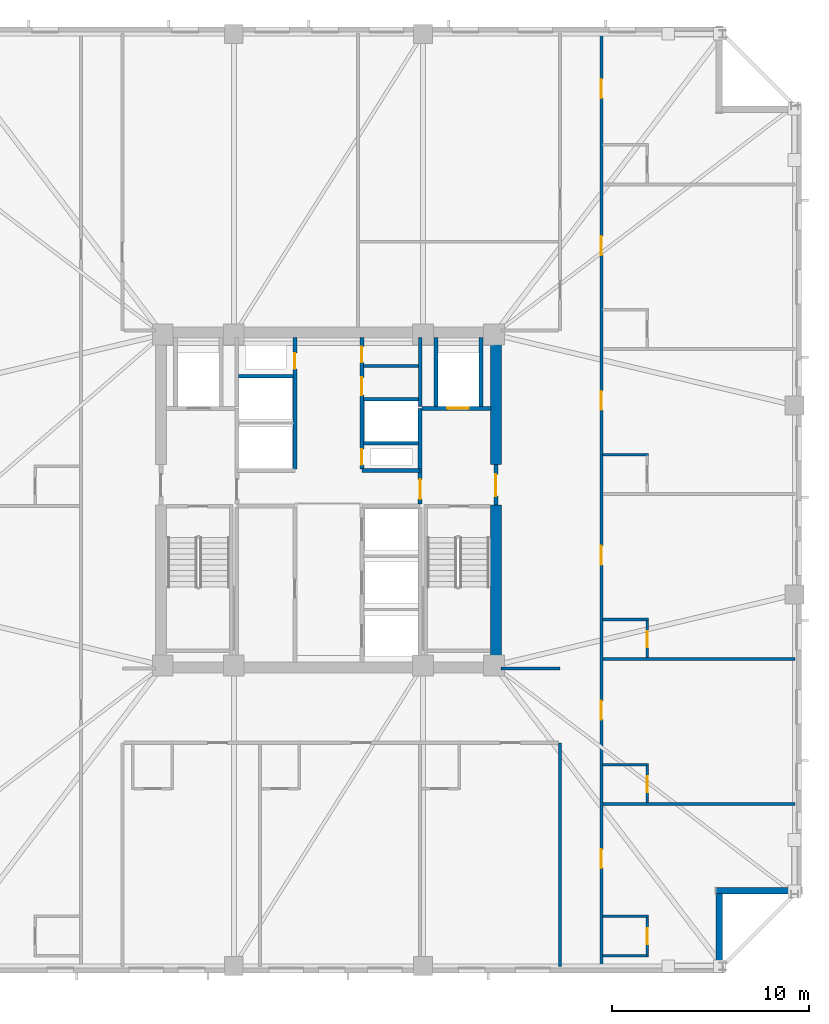
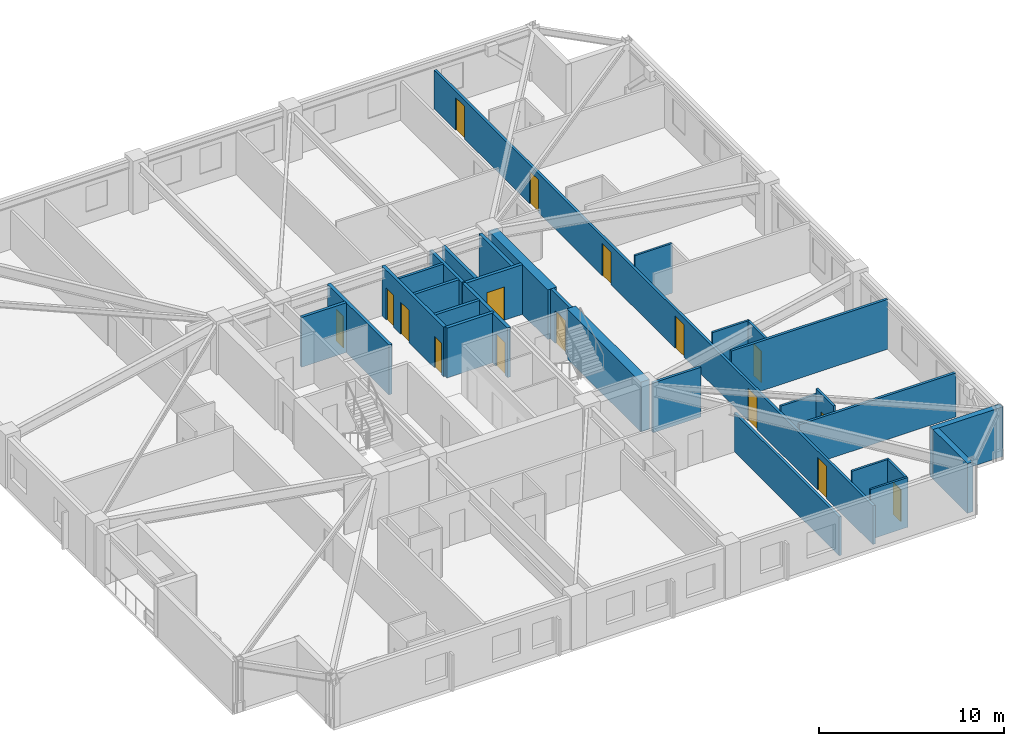
# One storey, part 4 of 11: 30 walls, 16 doors, 16 openings.
"""IFC4 building model written with IfcOpenShell, lengths in metres."""

from ifc_helpers import new_model, si_unit, direction, frame, frame_2d, origin, place, context, subcontext, project, spatial, rectangle, extrude, material, layer, layer_set, type_object, element, fill, save


model = new_model("IFC4")

# Units and contexts
model_context = context("Model", 3, precision=1e-05, world=origin(), true_north=direction((0.0, 1.0)))
body_context = subcontext(model_context, "Body", "Model", "MODEL_VIEW")
ifc_project = project(units=[si_unit("LENGTHUNIT", "METRE"), si_unit("AREAUNIT", "SQUARE_METRE"), si_unit("VOLUMEUNIT", "CUBIC_METRE"), si_unit("PLANEANGLEUNIT", "RADIAN"), si_unit("MASSUNIT", "GRAM", prefix="KILO")], contexts=[model_context])

# Site, building, storey
site_placement = place(None, origin())
site = spatial("IfcSite", under=ifc_project, at=site_placement, CompositionType="ELEMENT")
building_placement = place(site_placement, origin())
building = spatial("IfcBuilding", under=site, at=building_placement, Name="Cairnveth Concourse Tower", CompositionType="ELEMENT")
storey_placement = place(building_placement, frame((0.0, 0.0, 134.0)))
storey = spatial("IfcBuildingStorey", under=building, at=storey_placement, Name="L36", CompositionType="ELEMENT", Elevation=134.0)

# Wall
ifc_material_1 = material(Name="Gypsum Plasterboard Partition", Category="gypsum")
ifc_layer_1 = layer(ifc_material_1, 0.159912109375)
ifc_layer_set_1 = layer_set([ifc_layer_1], Name="Gypsum Plasterboard Partition")
wall_type_1 = type_object("IfcWallType", Name="ACOUSTIC PARTY WALL 180", PredefinedType="PARTITIONING", material=ifc_layer_set_1)
wall_1_placement = place(storey_placement, frame((53.784912109375, 45.800048828125, 0.0), z_axis=(0.0, 0.0, 1.0), x_axis=(1.0, 0.0, 0.0)))
element("IfcWall", 1, at=wall_1_placement, inside=storey, type_object=wall_type_1, Name="Interior Wall IW-L36-035", PredefinedType="PARTITIONING", context=body_context, shape_type="SweptSolid", body=[
    extrude(rectangle(XDim=2.7900390625, YDim=0.159912109375, at=frame_2d((1.39501953125, 0.0))), origin(), (0.0, 0.0, 1.0), 3.280029296875),
])

# Wall, openings, doors
wall_2_placement = place(storey_placement, frame((65.85009765625, 15.324951171875, 0.0), z_axis=(0.0, 0.0, 1.0), x_axis=(0.0, 1.0, 0.0)))
wall_2 = element("IfcWall", 2, at=wall_2_placement, inside=storey, type_object=wall_type_1, Name="Interior Wall IW-L36-041", PredefinedType="PARTITIONING", context=body_context, shape_type="SweptSolid", body=[
    extrude(rectangle(XDim=47.35009765625, YDim=0.159912109375, at=frame_2d((23.675048828125, 0.0))), origin(), (0.0, 0.0, 1.0), 2.554931640625),
])
opening_1_placement = place(wall_2_placement, frame((4.992919921875, 0.0, 0.0)))
opening_1 = element("IfcOpeningElement", 3, at=opening_1_placement, cuts=wall_2, Name="Opening ID09", PredefinedType="OPENING", context=body_context, shape_type="SweptSolid", body=[
    extrude(rectangle(XDim=0.9599609375, YDim=2.14990234375, at=frame_2d((0.47998046875, 1.074951171875))), frame((0.0, 0.08984375, 0.0), z_axis=(0.0, -1.0, 0.0), x_axis=(1.0, 0.0, 0.0)), (0.0, 0.0, 1.0), 0.179931640625),
])
opening_2_placement = place(wall_2_placement, frame((12.525390625, 0.0, 0.0)))
opening_2 = element("IfcOpeningElement", 4, at=opening_2_placement, cuts=wall_2, Name="Opening ID09", PredefinedType="OPENING", context=body_context, shape_type="SweptSolid", body=[
    extrude(rectangle(XDim=0.9599609375, YDim=2.14990234375, at=frame_2d((0.47998046875, 1.074951171875))), frame((0.0, 0.08984375, 0.0), z_axis=(0.0, -1.0, 0.0), x_axis=(1.0, 0.0, 0.0)), (0.0, 0.0, 1.0), 0.179931640625),
])
opening_3_placement = place(wall_2_placement, frame((20.385498046875, 0.0, 0.0)))
opening_3 = element("IfcOpeningElement", 5, at=opening_3_placement, cuts=wall_2, Name="Opening ID09", PredefinedType="OPENING", context=body_context, shape_type="SweptSolid", body=[
    extrude(rectangle(XDim=0.9599609375, YDim=2.14990234375, at=frame_2d((0.47998046875, 1.074951171875))), frame((0.0, 0.08984375, 0.0), z_axis=(0.0, -1.0, 0.0), x_axis=(1.0, 0.0, 0.0)), (0.0, 0.0, 1.0), 0.179931640625),
])
opening_4_placement = place(wall_2_placement, frame((28.24560546875, 0.0, 0.0)))
opening_4 = element("IfcOpeningElement", 6, at=opening_4_placement, cuts=wall_2, Name="Opening ID09", PredefinedType="OPENING", context=body_context, shape_type="SweptSolid", body=[
    extrude(rectangle(XDim=0.9599609375, YDim=2.14990234375, at=frame_2d((0.47998046875, 1.074951171875))), frame((0.0, 0.08984375, 0.0), z_axis=(0.0, -1.0, 0.0), x_axis=(1.0, 0.0, 0.0)), (0.0, 0.0, 1.0), 0.179931640625),
])
opening_5_placement = place(wall_2_placement, frame((36.10546875, 0.0, 0.0)))
opening_5 = element("IfcOpeningElement", 7, at=opening_5_placement, cuts=wall_2, Name="Opening ID09", PredefinedType="OPENING", context=body_context, shape_type="SweptSolid", body=[
    extrude(rectangle(XDim=0.9599609375, YDim=2.14990234375, at=frame_2d((0.47998046875, 1.074951171875))), frame((0.0, 0.08984375, 0.0), z_axis=(0.0, -1.0, 0.0), x_axis=(1.0, 0.0, 0.0)), (0.0, 0.0, 1.0), 0.179931640625),
])
opening_6_placement = place(wall_2_placement, frame((44.06787109375, 0.0, 0.0)))
opening_6 = element("IfcOpeningElement", 8, at=opening_6_placement, cuts=wall_2, Name="Opening ID09", PredefinedType="OPENING", context=body_context, shape_type="SweptSolid", body=[
    extrude(rectangle(XDim=0.9599609375, YDim=2.14990234375, at=frame_2d((0.47998046875, 1.074951171875))), frame((0.0, 0.08984375, 0.0), z_axis=(0.0, -1.0, 0.0), x_axis=(1.0, 0.0, 0.0)), (0.0, 0.0, 1.0), 0.179931640625),
])
ifc_material_2 = material(Name="Solid Core Hardwood Timber Leaf", Category="wood")
door_type_1 = type_object("IfcDoorType", Name="HOTEL ENTRANCE DOOR 960X2150", OperationType="NOTDEFINED", PredefinedType="DOOR", material=ifc_material_2)
door_1_placement = place(opening_1_placement, origin())
door_1 = element("IfcDoor", 9, at=door_1_placement, inside=storey, type_object=door_type_1, Name="Hotel Room Door L36-E1", OperationType="SINGLE_SWING_LEFT", OverallHeight=2.14990234375, OverallWidth=0.9599609375, PredefinedType="DOOR", context=body_context, shape_type="SweptSolid", body=[
    extrude(rectangle(XDim=0.9599609375, YDim=2.14990234375, at=frame_2d((0.47998046875, 1.074951171875))), frame((0.0, 0.02490234375, 0.0), z_axis=(0.0, -1.0, 0.0), x_axis=(1.0, 0.0, 0.0)), (0.0, 0.0, 1.0), 0.050048828125),
])
fill(opening_1, door_1)
door_2_placement = place(opening_2_placement, origin())
door_2 = element("IfcDoor", 10, at=door_2_placement, inside=storey, type_object=door_type_1, Name="Hotel Room Door L36-E2", OperationType="SINGLE_SWING_LEFT", OverallHeight=2.14990234375, OverallWidth=0.9599609375, PredefinedType="DOOR", context=body_context, shape_type="SweptSolid", body=[
    extrude(rectangle(XDim=0.9599609375, YDim=2.14990234375, at=frame_2d((0.47998046875, 1.074951171875))), frame((0.0, 0.02490234375, 0.0), z_axis=(0.0, -1.0, 0.0), x_axis=(1.0, 0.0, 0.0)), (0.0, 0.0, 1.0), 0.050048828125),
])
fill(opening_2, door_2)
door_3_placement = place(opening_3_placement, origin())
door_3 = element("IfcDoor", 11, at=door_3_placement, inside=storey, type_object=door_type_1, Name="Hotel Room Door L36-E3", OperationType="SINGLE_SWING_LEFT", OverallHeight=2.14990234375, OverallWidth=0.9599609375, PredefinedType="DOOR", context=body_context, shape_type="SweptSolid", body=[
    extrude(rectangle(XDim=0.9599609375, YDim=2.14990234375, at=frame_2d((0.47998046875, 1.074951171875))), frame((0.0, 0.02490234375, 0.0), z_axis=(0.0, -1.0, 0.0), x_axis=(1.0, 0.0, 0.0)), (0.0, 0.0, 1.0), 0.050048828125),
])
fill(opening_3, door_3)
door_4_placement = place(opening_4_placement, origin())
door_4 = element("IfcDoor", 12, at=door_4_placement, inside=storey, type_object=door_type_1, Name="Hotel Room Door L36-E4", OperationType="SINGLE_SWING_LEFT", OverallHeight=2.14990234375, OverallWidth=0.9599609375, PredefinedType="DOOR", context=body_context, shape_type="SweptSolid", body=[
    extrude(rectangle(XDim=0.9599609375, YDim=2.14990234375, at=frame_2d((0.47998046875, 1.074951171875))), frame((0.0, 0.02490234375, 0.0), z_axis=(0.0, -1.0, 0.0), x_axis=(1.0, 0.0, 0.0)), (0.0, 0.0, 1.0), 0.050048828125),
])
fill(opening_4, door_4)
door_5_placement = place(opening_5_placement, origin())
door_5 = element("IfcDoor", 13, at=door_5_placement, inside=storey, type_object=door_type_1, Name="Hotel Room Door L36-E5", OperationType="SINGLE_SWING_LEFT", OverallHeight=2.14990234375, OverallWidth=0.9599609375, PredefinedType="DOOR", context=body_context, shape_type="SweptSolid", body=[
    extrude(rectangle(XDim=0.9599609375, YDim=2.14990234375, at=frame_2d((0.47998046875, 1.074951171875))), frame((0.0, 0.02490234375, 0.0), z_axis=(0.0, -1.0, 0.0), x_axis=(1.0, 0.0, 0.0)), (0.0, 0.0, 1.0), 0.050048828125),
])
fill(opening_5, door_5)
door_6_placement = place(opening_6_placement, origin())
door_6 = element("IfcDoor", 14, at=door_6_placement, inside=storey, type_object=door_type_1, Name="Hotel Room Door L36-E6", OperationType="SINGLE_SWING_LEFT", OverallHeight=2.14990234375, OverallWidth=0.9599609375, PredefinedType="DOOR", context=body_context, shape_type="SweptSolid", body=[
    extrude(rectangle(XDim=0.9599609375, YDim=2.14990234375, at=frame_2d((0.47998046875, 1.074951171875))), frame((0.0, 0.02490234375, 0.0), z_axis=(0.0, -1.0, 0.0), x_axis=(1.0, 0.0, 0.0)), (0.0, 0.0, 1.0), 0.050048828125),
])
fill(opening_6, door_6)

# Walls
wall_3_placement = place(storey_placement, frame((63.75, 15.324951171875, 0.0), z_axis=(0.0, 0.0, 1.0), x_axis=(0.0, 1.0, 0.0)))
element("IfcWall", 15, at=wall_3_placement, inside=storey, type_object=wall_type_1, Name="Interior Wall IW-L36-042", PredefinedType="PARTITIONING", context=body_context, shape_type="SweptSolid", body=[
    extrude(rectangle(XDim=11.35498046875, YDim=0.159912109375, at=frame_2d((5.677490234375, 0.0))), origin(), (0.0, 0.0, 1.0), 2.554931640625),
])
wall_4_placement = place(storey_placement, frame((60.764892578125, 30.449951171875, 0.0), z_axis=(0.0, 0.0, 1.0), x_axis=(1.0, 0.0, 0.0)))
element("IfcWall", 16, at=wall_4_placement, inside=storey, type_object=wall_type_1, Name="Interior Wall IW-L36-044", PredefinedType="PARTITIONING", context=body_context, shape_type="SweptSolid", body=[
    extrude(rectangle(XDim=2.985107421875, YDim=0.159912109375, at=frame_2d((1.49267578125, 0.0))), origin(), (0.0, 0.0, 1.0), 3.280029296875),
])
wall_5_placement = place(storey_placement, frame((65.929931640625, 23.57568359375, 0.0), z_axis=(0.0, 0.0, 1.0), x_axis=(1.0, 0.0, 0.0)))
element("IfcWall", 17, at=wall_5_placement, inside=storey, type_object=wall_type_1, Name="Interior Wall IW-L36-067", PredefinedType="PARTITIONING", context=body_context, shape_type="SweptSolid", body=[
    extrude(rectangle(XDim=9.7451171875, YDim=0.159912109375, at=frame_2d((4.87255859375, 0.0))), origin(), (0.0, 0.0, 1.0), 2.89599609375),
])
wall_6_placement = place(storey_placement, frame((65.929931640625, 30.935302734375, 0.0), z_axis=(0.0, 0.0, 1.0), x_axis=(1.0, 0.0, 0.0)))
element("IfcWall", 18, at=wall_6_placement, inside=storey, type_object=wall_type_1, Name="Interior Wall IW-L36-070", PredefinedType="PARTITIONING", context=body_context, shape_type="SweptSolid", body=[
    extrude(rectangle(XDim=9.7451171875, YDim=0.159912109375, at=frame_2d((4.87255859375, 0.0))), origin(), (0.0, 0.0, 1.0), 3.280029296875),
])
ifc_material_3 = material(Name="Concrete N80 (80 MPa)", Category="concrete")
ifc_layer_2 = layer(ifc_material_3, 0.550048828125)
ifc_layer_set_2 = layer_set([ifc_layer_2], Name="Concrete N80 (80 MPa)")
wall_type_2 = type_object("IfcWallType", Name="CORE SHEAR WALL 550", PredefinedType="SHEAR", material=ifc_layer_set_2)
wall_7_placement = place(storey_placement, frame((60.5, 30.764892578125, 0.0), z_axis=(0.0, 0.0, 1.0), x_axis=(0.0, 1.0, 0.0)))
element("IfcWall", 19, at=wall_7_placement, inside=storey, type_object=wall_type_2, Name="Core East Shear Wall S L36", PredefinedType="SHEAR", context=body_context, shape_type="SweptSolid", body=[
    extrude(rectangle(XDim=7.985107421875, YDim=0.550048828125, at=frame_2d((3.99267578125, 0.0))), origin(), (0.0, 0.0, 1.0), 3.280029296875),
])
wall_8_placement = place(storey_placement, frame((60.5, 40.800048828125, 0.0), z_axis=(0.0, 0.0, 1.0), x_axis=(0.0, 1.0, 0.0)))
element("IfcWall", 20, at=wall_8_placement, inside=storey, type_object=wall_type_2, Name="Core East Shear Wall N L36", PredefinedType="SHEAR", context=body_context, shape_type="SweptSolid", body=[
    extrude(rectangle(XDim=6.43505859375, YDim=0.550048828125, at=frame_2d((3.217529296875, 0.0))), origin(), (0.0, 0.0, 1.0), 3.280029296875),
])
ifc_material_4 = material(Name="Concrete N50 (50 MPa)", Category="concrete")
ifc_layer_3 = layer(ifc_material_4, 0.179931640625)
ifc_layer_set_3 = layer_set([ifc_layer_3], Name="Concrete N50 (50 MPa)")
wall_type_3 = type_object("IfcWallType", Name="FIRE SHAFT WALL 180", PredefinedType="SOLIDWALL", material=ifc_layer_set_3)
wall_9_placement = place(storey_placement, frame((47.425048828125, 45.280029296875, 0.0), z_axis=(0.0, 0.0, 1.0), x_axis=(1.0, 0.0, 0.0)))
element("IfcWall", 21, at=wall_9_placement, inside=storey, type_object=wall_type_3, Name="Interior Wall IW-L36-031", PredefinedType="SOLIDWALL", context=body_context, shape_type="SweptSolid", body=[
    extrude(rectangle(XDim=2.7900390625, YDim=0.179931640625, at=frame_2d((1.39501953125, 0.0))), origin(), (0.0, 0.0, 1.0), 3.280029296875),
])
wall_10_placement = place(storey_placement, frame((56.64990234375, 43.735107421875, 0.0), z_axis=(0.0, 0.0, 1.0), x_axis=(0.0, 1.0, 0.0)))
element("IfcWall", 22, at=wall_10_placement, inside=storey, type_object=wall_type_3, Name="Interior Wall IW-L36-032", PredefinedType="SOLIDWALL", context=body_context, shape_type="SweptSolid", body=[
    extrude(rectangle(XDim=3.5048828125, YDim=0.179931640625, at=frame_2d((1.75244140625, 0.0))), origin(), (0.0, 0.0, 1.0), 3.280029296875),
])
wall_11_placement = place(storey_placement, frame((53.784912109375, 41.8798828125, 0.0), z_axis=(0.0, 0.0, 1.0), x_axis=(1.0, 0.0, 0.0)))
element("IfcWall", 23, at=wall_11_placement, inside=storey, type_object=wall_type_3, Name="Interior Wall IW-L36-033", PredefinedType="SOLIDWALL", context=body_context, shape_type="SweptSolid", body=[
    extrude(rectangle(XDim=2.780029296875, YDim=0.179931640625, at=frame_2d((1.39013671875, 0.0))), origin(), (0.0, 0.0, 1.0), 3.280029296875),
])
wall_12_placement = place(storey_placement, frame((53.784912109375, 44.1201171875, 0.0), z_axis=(0.0, 0.0, 1.0), x_axis=(1.0, 0.0, 0.0)))
element("IfcWall", 24, at=wall_12_placement, inside=storey, type_object=wall_type_3, Name="Interior Wall IW-L36-034", PredefinedType="SOLIDWALL", context=body_context, shape_type="SweptSolid", body=[
    extrude(rectangle(XDim=2.7900390625, YDim=0.179931640625, at=frame_2d((1.39501953125, 0.0))), origin(), (0.0, 0.0, 1.0), 3.280029296875),
])
ifc_layer_4 = layer(ifc_material_4, 0.199951171875)
ifc_layer_set_4 = layer_set([ifc_layer_4], Name="Concrete N50 (50 MPa)")
wall_type_4 = type_object("IfcWallType", Name="FIRE SHAFT WALL 200", PredefinedType="SOLIDWALL", material=ifc_layer_set_4)
wall_13_placement = place(storey_placement, frame((53.699951171875, 40.5, 0.0), z_axis=(0.0, 0.0, 1.0), x_axis=(1.0, 0.0, 0.0)))
element("IfcWall", 25, at=wall_13_placement, inside=storey, type_object=wall_type_4, Name="Interior Wall IW-L36-010", PredefinedType="SOLIDWALL", context=body_context, shape_type="SweptSolid", body=[
    extrude(rectangle(XDim=2.949951171875, YDim=0.199951171875, at=frame_2d((1.47509765625, 0.0))), origin(), (0.0, 0.0, 1.0), 3.280029296875),
])

# Wall, opening, door
wall_14_placement = place(storey_placement, frame((50.300048828125, 40.5849609375, 0.0), z_axis=(0.0, 0.0, 1.0), x_axis=(0.0, 1.0, 0.0)))
wall_14 = element("IfcWall", 26, at=wall_14_placement, inside=storey, type_object=wall_type_4, Name="Interior Wall IW-L36-013", PredefinedType="SOLIDWALL", context=body_context, shape_type="SweptSolid", body=[
    extrude(rectangle(XDim=6.655029296875, YDim=0.199951171875, at=frame_2d((3.32763671875, 0.0))), origin(), (0.0, 0.0, 1.0), 3.280029296875),
])
opening_7_placement = place(wall_14_placement, frame((5.06494140625, 0.0, 0.0)))
opening_7 = element("IfcOpeningElement", 27, at=opening_7_placement, cuts=wall_14, Name="Opening ID24", PredefinedType="OPENING", context=body_context, shape_type="SweptSolid", body=[
    extrude(rectangle(XDim=0.800048828125, YDim=2.080078125, at=frame_2d((0.39990234375, 1.0400390625))), frame((0.0, 0.10986328125, 0.0), z_axis=(0.0, -1.0, 0.0), x_axis=(1.0, 0.0, 0.0)), (0.0, 0.0, 1.0), 0.219970703125),
])
ifc_material_5 = material(Name="Steel Grade 350", Category="steel")
door_type_2 = type_object("IfcDoorType", Name="RISER ACCESS DOOR 800X2100", OperationType="NOTDEFINED", PredefinedType="DOOR", material=ifc_material_5)
door_7_placement = place(opening_7_placement, origin())
door_7 = element("IfcDoor", 28, at=door_7_placement, inside=storey, type_object=door_type_2, Name="NW Electrical Riser Access Door L36", OperationType="SINGLE_SWING_LEFT", OverallHeight=2.080078125, OverallWidth=0.800048828125, PredefinedType="DOOR", context=body_context, shape_type="SweptSolid", body=[
    extrude(rectangle(XDim=0.800048828125, YDim=2.080078125, at=frame_2d((0.39990234375, 1.0400390625))), frame((0.0, 0.02490234375, 0.0), z_axis=(0.0, -1.0, 0.0), x_axis=(1.0, 0.0, 0.0)), (0.0, 0.0, 1.0), 0.050048828125),
])
fill(opening_7, door_7)

# Wall, openings, doors
wall_15_placement = place(storey_placement, frame((53.699951171875, 40.5849609375, 0.0), z_axis=(0.0, 0.0, 1.0), x_axis=(0.0, 1.0, 0.0)))
wall_15 = element("IfcWall", 29, at=wall_15_placement, inside=storey, type_object=wall_type_4, Name="Interior Wall IW-L36-014", PredefinedType="SOLIDWALL", context=body_context, shape_type="SweptSolid", body=[
    extrude(rectangle(XDim=6.655029296875, YDim=0.199951171875, at=frame_2d((3.32763671875, 0.0))), origin(), (0.0, 0.0, 1.0), 3.280029296875),
])
opening_8_placement = place(wall_15_placement, frame((0.195068359375, 0.0, 0.0)))
opening_8 = element("IfcOpeningElement", 30, at=opening_8_placement, cuts=wall_15, Name="Opening ID24", PredefinedType="OPENING", context=body_context, shape_type="SweptSolid", body=[
    extrude(rectangle(XDim=0.800048828125, YDim=2.080078125, at=frame_2d((0.39990234375, 1.0400390625))), frame((0.0, 0.10986328125, 0.0), z_axis=(0.0, -1.0, 0.0), x_axis=(1.0, 0.0, 0.0)), (0.0, 0.0, 1.0), 0.219970703125),
])
opening_9_placement = place(wall_15_placement, frame((3.735107421875, 0.0, 0.0)))
opening_9 = element("IfcOpeningElement", 31, at=opening_9_placement, cuts=wall_15, Name="Opening ID26", PredefinedType="OPENING", context=body_context, shape_type="SweptSolid", body=[
    extrude(rectangle(XDim=0.89990234375, YDim=2.1201171875, at=frame_2d((0.449951171875, 1.06005859375))), frame((0.0, 0.10986328125, 0.0), z_axis=(0.0, -1.0, 0.0), x_axis=(1.0, 0.0, 0.0)), (0.0, 0.0, 1.0), 0.219970703125),
])
opening_10_placement = place(wall_15_placement, frame((5.39501953125, 0.0, 0.0)))
opening_10 = element("IfcOpeningElement", 32, at=opening_10_placement, cuts=wall_15, Name="Opening ID23", PredefinedType="OPENING", context=body_context, shape_type="SweptSolid", body=[
    extrude(rectangle(XDim=0.800048828125, YDim=2.10009765625, at=frame_2d((0.39990234375, 1.050048828125))), frame((0.0, 0.10986328125, 0.0), z_axis=(0.0, -1.0, 0.0), x_axis=(1.0, 0.0, 0.0)), (0.0, 0.0, 1.0), 0.219970703125),
])
door_type_3 = type_object("IfcDoorType", Name="CORE SERVICE DOOR 800X2100", OperationType="NOTDEFINED", PredefinedType="DOOR", material=ifc_material_5)
door_8_placement = place(opening_10_placement, origin())
door_8 = element("IfcDoor", 33, at=door_8_placement, inside=storey, type_object=door_type_3, Name="Core NE Cleaners Door L36", OperationType="SINGLE_SWING_RIGHT", OverallHeight=2.10009765625, OverallWidth=0.800048828125, PredefinedType="DOOR", context=body_context, shape_type="SweptSolid", body=[
    extrude(rectangle(XDim=0.800048828125, YDim=2.10009765625, at=frame_2d((0.39990234375, 1.050048828125))), frame((0.0, 0.02490234375, 0.0), z_axis=(0.0, -1.0, 0.0), x_axis=(1.0, 0.0, 0.0)), (0.0, 0.0, 1.0), 0.050048828125),
])
fill(opening_10, door_8)
door_type_4 = type_object("IfcDoorType", Name="CORE TOILET FIRE DOOR 900X2120", OperationType="NOTDEFINED", PredefinedType="DOOR", material=ifc_material_5)
door_9_placement = place(opening_9_placement, origin())
door_9 = element("IfcDoor", 34, at=door_9_placement, inside=storey, type_object=door_type_4, Name="Core NE Unisex WC Door L36", OperationType="SINGLE_SWING_LEFT", OverallHeight=2.1201171875, OverallWidth=0.89990234375, PredefinedType="DOOR", context=body_context, shape_type="SweptSolid", body=[
    extrude(rectangle(XDim=0.89990234375, YDim=2.1201171875, at=frame_2d((0.449951171875, 1.06005859375))), frame((0.0, 0.02490234375, 0.0), z_axis=(0.0, -1.0, 0.0), x_axis=(1.0, 0.0, 0.0)), (0.0, 0.0, 1.0), 0.050048828125),
])
fill(opening_9, door_9)
door_10_placement = place(opening_8_placement, origin())
door_10 = element("IfcDoor", 35, at=door_10_placement, inside=storey, type_object=door_type_2, Name="Hydraulic Riser Door L36", OperationType="SINGLE_SWING_RIGHT", OverallHeight=2.080078125, OverallWidth=0.800048828125, PredefinedType="DOOR", context=body_context, shape_type="SweptSolid", body=[
    extrude(rectangle(XDim=0.800048828125, YDim=2.080078125, at=frame_2d((0.39990234375, 1.0400390625))), frame((0.0, 0.02490234375, 0.0), z_axis=(0.0, -1.0, 0.0), x_axis=(1.0, 0.0, 0.0)), (0.0, 0.0, 1.0), 0.050048828125),
])
fill(opening_8, door_10)

# Wall, opening, door
wall_16_placement = place(storey_placement, frame((60.5, 38.75, 0.0), z_axis=(0.0, 0.0, 1.0), x_axis=(0.0, 1.0, 0.0)))
wall_16 = element("IfcWall", 36, at=wall_16_placement, inside=storey, type_object=wall_type_4, Name="Interior Wall IW-L36-020", PredefinedType="SOLIDWALL", context=body_context, shape_type="SweptSolid", body=[
    extrude(rectangle(XDim=2.050048828125, YDim=0.199951171875, at=frame_2d((1.02490234375, 0.0))), origin(), (0.0, 0.0, 1.0), 3.280029296875),
])
opening_11_placement = place(wall_16_placement, frame((0.449951171875, 0.0, 0.0)))
opening_11 = element("IfcOpeningElement", 37, at=opening_11_placement, cuts=wall_16, Name="Opening ID06", PredefinedType="OPENING", context=body_context, shape_type="SweptSolid", body=[
    extrude(rectangle(XDim=1.10009765625, YDim=2.14990234375, at=frame_2d((0.550048828125, 1.074951171875))), frame((0.0, 0.10986328125, 0.0), z_axis=(0.0, -1.0, 0.0), x_axis=(1.0, 0.0, 0.0)), (0.0, 0.0, 1.0), 0.219970703125),
])
door_type_5 = type_object("IfcDoorType", Name="FIRE CORRIDOR DOOR 1100X2150", OperationType="NOTDEFINED", PredefinedType="DOOR", material=ifc_material_5)
door_11_placement = place(opening_11_placement, origin())
door_11 = element("IfcDoor", 38, at=door_11_placement, inside=storey, type_object=door_type_5, Name="East Wing to FF Lobby Door L36", OperationType="SINGLE_SWING_RIGHT", OverallHeight=2.14990234375, OverallWidth=1.10009765625, PredefinedType="DOOR", context=body_context, shape_type="SweptSolid", body=[
    extrude(rectangle(XDim=1.10009765625, YDim=2.14990234375, at=frame_2d((0.550048828125, 1.074951171875))), frame((0.0, 0.02490234375, 0.0), z_axis=(0.0, -1.0, 0.0), x_axis=(1.0, 0.0, 0.0)), (0.0, 0.0, 1.0), 0.050048828125),
])
fill(opening_11, door_11)

wall_17_placement = place(storey_placement, frame((56.64990234375, 38.784912109375, 0.0), z_axis=(0.0, 0.0, 1.0), x_axis=(0.0, 1.0, 0.0)))
wall_17 = element("IfcWall", 39, at=wall_17_placement, inside=storey, type_object=wall_type_4, Name="Interior Wall IW-L36-021", PredefinedType="SOLIDWALL", context=body_context, shape_type="SweptSolid", body=[
    extrude(rectangle(XDim=4.864990234375, YDim=0.199951171875, at=frame_2d((2.4326171875, 0.0))), origin(), (0.0, 0.0, 1.0), 3.280029296875),
])
opening_12_placement = place(wall_17_placement, frame((0.264892578125, 0.0, 0.0)))
opening_12 = element("IfcOpeningElement", 40, at=opening_12_placement, cuts=wall_17, Name="Opening ID07", PredefinedType="OPENING", context=body_context, shape_type="SweptSolid", body=[
    extrude(rectangle(XDim=1.0, YDim=2.14990234375, at=frame_2d((0.5, 1.074951171875))), frame((0.0, 0.10986328125, 0.0), z_axis=(0.0, -1.0, 0.0), x_axis=(1.0, 0.0, 0.0)), (0.0, 0.0, 1.0), 0.219970703125),
])
door_type_6 = type_object("IfcDoorType", Name="FIRE CORRIDOR DOOR 1000X2150", OperationType="NOTDEFINED", PredefinedType="DOOR", material=ifc_material_5)
door_12_placement = place(opening_12_placement, origin())
door_12 = element("IfcDoor", 41, at=door_12_placement, inside=storey, type_object=door_type_6, Name="FF Lobby East to Lift Lobby Door L36", OperationType="SINGLE_SWING_LEFT", OverallHeight=2.14990234375, OverallWidth=1.0, PredefinedType="DOOR", context=body_context, shape_type="SweptSolid", body=[
    extrude(rectangle(XDim=1.0, YDim=2.14990234375, at=frame_2d((0.5, 1.074951171875))), frame((0.0, 0.02490234375, 0.0), z_axis=(0.0, -1.0, 0.0), x_axis=(1.0, 0.0, 0.0)), (0.0, 0.0, 1.0), 0.050048828125),
])
fill(opening_12, door_12)

wall_18_placement = place(storey_placement, frame((56.735107421875, 43.64990234375, 0.0), z_axis=(0.0, 0.0, 1.0), x_axis=(1.0, 0.0, 0.0)))
wall_18 = element("IfcWall", 42, at=wall_18_placement, inside=storey, type_object=wall_type_4, Name="Interior Wall IW-L36-022", PredefinedType="SOLIDWALL", context=body_context, shape_type="SweptSolid", body=[
    extrude(rectangle(XDim=3.5048828125, YDim=0.199951171875, at=frame_2d((1.75244140625, 0.0))), origin(), (0.0, 0.0, 1.0), 3.280029296875),
])
opening_13_placement = place(wall_18_placement, frame((1.294921875, 0.0, 0.0)))
opening_13 = element("IfcOpeningElement", 43, at=opening_13_placement, cuts=wall_18, Name="Opening LD-1", PredefinedType="OPENING", context=body_context, shape_type="SweptSolid", body=[
    extrude(rectangle(XDim=1.10009765625, YDim=2.199951171875, at=frame_2d((0.550048828125, 1.10009765625))), frame((0.0, 0.10986328125, 0.0), z_axis=(0.0, -1.0, 0.0), x_axis=(1.0, 0.0, 0.0)), (0.0, 0.0, 1.0), 0.219970703125),
])
ifc_material_6 = material(Name="Architectural Bronze Anodised Aluminium 6063-T6", Category="aluminium")
door_type_7 = type_object("IfcDoorType", Name="LIFT LANDING DOOR 1100X2200", OperationType="SLIDING_TO_LEFT", PredefinedType="DOOR", material=ifc_material_6)
door_13_placement = place(opening_13_placement, origin())
door_13 = element("IfcDoor", 44, at=door_13_placement, inside=storey, type_object=door_type_7, Name="Lift FFL2 Landing Door L36", OperationType="SLIDING_TO_LEFT", OverallHeight=2.199951171875, OverallWidth=1.10009765625, PredefinedType="DOOR", context=body_context, shape_type="SweptSolid", body=[
    extrude(rectangle(XDim=1.10009765625, YDim=2.199951171875, at=frame_2d((0.550048828125, 1.10009765625))), frame((0.0, 0.02490234375, 0.0), z_axis=(0.0, -1.0, 0.0), x_axis=(1.0, 0.0, 0.0)), (0.0, 0.0, 1.0), 0.050048828125),
])
fill(opening_13, door_13)

# Walls
for number, where, z_axis, x_axis, name in (
    (45, (57.449951171875, 43.735107421875, 0.0), (0.0, 0.0, 1.0), (0.0, 1.0, 0.0), "Interior Wall IW-L36-023"),
    (46, (59.75, 43.735107421875, 0.0), (0.0, 0.0, 1.0), (0.0, 1.0, 0.0), "Interior Wall IW-L36-024"),
):
    element("IfcWall", number, at=place(storey_placement, frame(where, z_axis=z_axis, x_axis=x_axis)), inside=storey, type_object=wall_type_4, Name=name, PredefinedType="SOLIDWALL", context=body_context, shape_type="SweptSolid", body=[
        extrude(rectangle(XDim=3.5048828125, YDim=0.199951171875, at=frame_2d((1.75244140625, 0.0))), origin(), (0.0, 0.0, 1.0), 3.280029296875),
    ])
ifc_layer_5 = layer(ifc_material_1, 0.1298828125)
ifc_layer_set_5 = layer_set([ifc_layer_5], Name="Gypsum Plasterboard Partition")
wall_type_5 = type_object("IfcWallType", Name="WET AREA PARTITION 140", PredefinedType="PLUMBINGWALL", material=ifc_layer_set_5)
for number, where, z_axis, x_axis, name in (
    (47, (65.9150390625, 15.8701171875, 0.0), (0.0, 0.0, 1.0), (1.0, 0.0, 0.0), "Interior Wall IW-L36-064"),
    (48, (65.9150390625, 17.8701171875, 0.0), (0.0, 0.0, 1.0), (1.0, 0.0, 0.0), "Interior Wall IW-L36-065"),
):
    element("IfcWall", number, at=place(storey_placement, frame(where, z_axis=z_axis, x_axis=x_axis)), inside=storey, type_object=wall_type_5, Name=name, PredefinedType="PLUMBINGWALL", context=body_context, shape_type="SweptSolid", body=[
        extrude(rectangle(XDim=2.31494140625, YDim=0.1298828125, at=frame_2d((1.157470703125, 0.0))), origin(), (0.0, 0.0, 1.0), 3.280029296875),
    ])

# Wall, opening, door
wall_19_placement = place(storey_placement, frame((68.179931640625, 15.919921875, 0.0), z_axis=(0.0, 0.0, 1.0), x_axis=(0.0, 1.0, 0.0)))
wall_19 = element("IfcWall", 49, at=wall_19_placement, inside=storey, type_object=wall_type_5, Name="Interior Wall IW-L36-066", PredefinedType="PLUMBINGWALL", context=body_context, shape_type="SweptSolid", body=[
    extrude(rectangle(XDim=1.900146484375, YDim=0.1298828125, at=frame_2d((0.9501953125, 0.0))), origin(), (0.0, 0.0, 1.0), 3.280029296875),
])
opening_14_placement = place(wall_19_placement, frame((0.5400390625, 0.0, 0.0)))
opening_14 = element("IfcOpeningElement", 50, at=opening_14_placement, cuts=wall_19, Name="Opening ID22", PredefinedType="OPENING", context=body_context, shape_type="SweptSolid", body=[
    extrude(rectangle(XDim=0.820068359375, YDim=2.10009765625, at=frame_2d((0.41015625, 1.050048828125))), frame((0.0, 0.074951171875, 0.0), z_axis=(0.0, -1.0, 0.0), x_axis=(1.0, 0.0, 0.0)), (0.0, 0.0, 1.0), 0.14990234375),
])
door_type_8 = type_object("IfcDoorType", Name="INTERIOR WC DOOR 820X2100", OperationType="NOTDEFINED", PredefinedType="DOOR", material=ifc_material_2)
door_14_placement = place(opening_14_placement, origin())
door_14 = element("IfcDoor", 51, at=door_14_placement, inside=storey, type_object=door_type_8, Name="En-Suite Door L36-E1", OperationType="SINGLE_SWING_RIGHT", OverallHeight=2.10009765625, OverallWidth=0.820068359375, PredefinedType="DOOR", context=body_context, shape_type="SweptSolid", body=[
    extrude(rectangle(XDim=0.820068359375, YDim=2.10009765625, at=frame_2d((0.41015625, 1.050048828125))), frame((0.0, 0.02490234375, 0.0), z_axis=(0.0, -1.0, 0.0), x_axis=(1.0, 0.0, 0.0)), (0.0, 0.0, 1.0), 0.050048828125),
])
fill(opening_14, door_14)

# Wall
wall_20_placement = place(storey_placement, frame((65.9150390625, 25.57568359375, 0.0), z_axis=(0.0, 0.0, 1.0), x_axis=(1.0, 0.0, 0.0)))
element("IfcWall", 52, at=wall_20_placement, inside=storey, type_object=wall_type_5, Name="Interior Wall IW-L36-068", PredefinedType="PLUMBINGWALL", context=body_context, shape_type="SweptSolid", body=[
    extrude(rectangle(XDim=2.31494140625, YDim=0.1298828125, at=frame_2d((1.157470703125, 0.0))), origin(), (0.0, 0.0, 1.0), 2.89599609375),
])

# Wall, opening, door
wall_21_placement = place(storey_placement, frame((68.179931640625, 23.640625, 0.0), z_axis=(0.0, 0.0, 1.0), x_axis=(0.0, 1.0, 0.0)))
wall_21 = element("IfcWall", 53, at=wall_21_placement, inside=storey, type_object=wall_type_5, Name="Interior Wall IW-L36-069", PredefinedType="PLUMBINGWALL", context=body_context, shape_type="SweptSolid", body=[
    extrude(rectangle(XDim=1.885009765625, YDim=0.1298828125, at=frame_2d((0.9423828125, 0.0))), origin(), (0.0, 0.0, 1.0), 3.280029296875),
])
opening_15_placement = place(wall_21_placement, frame((0.52490234375, 0.0, 0.0)))
opening_15 = element("IfcOpeningElement", 54, at=opening_15_placement, cuts=wall_21, Name="Opening ID22", PredefinedType="OPENING", context=body_context, shape_type="SweptSolid", body=[
    extrude(rectangle(XDim=0.820068359375, YDim=2.10009765625, at=frame_2d((0.41015625, 1.050048828125))), frame((0.0, 0.074951171875, 0.0), z_axis=(0.0, -1.0, 0.0), x_axis=(1.0, 0.0, 0.0)), (0.0, 0.0, 1.0), 0.14990234375),
])
door_15_placement = place(opening_15_placement, origin())
door_15 = element("IfcDoor", 55, at=door_15_placement, inside=storey, type_object=door_type_8, Name="En-Suite Door L36-E2", OperationType="SINGLE_SWING_RIGHT", OverallHeight=2.10009765625, OverallWidth=0.820068359375, PredefinedType="DOOR", context=body_context, shape_type="SweptSolid", body=[
    extrude(rectangle(XDim=0.820068359375, YDim=2.10009765625, at=frame_2d((0.41015625, 1.050048828125))), frame((0.0, 0.02490234375, 0.0), z_axis=(0.0, -1.0, 0.0), x_axis=(1.0, 0.0, 0.0)), (0.0, 0.0, 1.0), 0.050048828125),
])
fill(opening_15, door_15)

# Wall
wall_22_placement = place(storey_placement, frame((65.9150390625, 32.935302734375, 0.0), z_axis=(0.0, 0.0, 1.0), x_axis=(1.0, 0.0, 0.0)))
element("IfcWall", 56, at=wall_22_placement, inside=storey, type_object=wall_type_5, Name="Interior Wall IW-L36-071", PredefinedType="PLUMBINGWALL", context=body_context, shape_type="SweptSolid", body=[
    extrude(rectangle(XDim=2.31494140625, YDim=0.1298828125, at=frame_2d((1.157470703125, 0.0))), origin(), (0.0, 0.0, 1.0), 3.280029296875),
])

# Wall, opening, door
wall_23_placement = place(storey_placement, frame((68.179931640625, 31.000244140625, 0.0), z_axis=(0.0, 0.0, 1.0), x_axis=(0.0, 1.0, 0.0)))
wall_23 = element("IfcWall", 57, at=wall_23_placement, inside=storey, type_object=wall_type_5, Name="Interior Wall IW-L36-072", PredefinedType="PLUMBINGWALL", context=body_context, shape_type="SweptSolid", body=[
    extrude(rectangle(XDim=1.885009765625, YDim=0.1298828125, at=frame_2d((0.9423828125, 0.0))), origin(), (0.0, 0.0, 1.0), 3.280029296875),
])
opening_16_placement = place(wall_23_placement, frame((0.52490234375, 0.0, 0.0)))
opening_16 = element("IfcOpeningElement", 58, at=opening_16_placement, cuts=wall_23, Name="Opening ID22", PredefinedType="OPENING", context=body_context, shape_type="SweptSolid", body=[
    extrude(rectangle(XDim=0.820068359375, YDim=2.10009765625, at=frame_2d((0.41015625, 1.050048828125))), frame((0.0, 0.074951171875, 0.0), z_axis=(0.0, -1.0, 0.0), x_axis=(1.0, 0.0, 0.0)), (0.0, 0.0, 1.0), 0.14990234375),
])
door_16_placement = place(opening_16_placement, origin())
door_16 = element("IfcDoor", 59, at=door_16_placement, inside=storey, type_object=door_type_8, Name="En-Suite Door L36-E3", OperationType="SINGLE_SWING_RIGHT", OverallHeight=2.10009765625, OverallWidth=0.820068359375, PredefinedType="DOOR", context=body_context, shape_type="SweptSolid", body=[
    extrude(rectangle(XDim=0.820068359375, YDim=2.10009765625, at=frame_2d((0.41015625, 1.050048828125))), frame((0.0, 0.02490234375, 0.0), z_axis=(0.0, -1.0, 0.0), x_axis=(1.0, 0.0, 0.0)), (0.0, 0.0, 1.0), 0.050048828125),
])
fill(opening_16, door_16)

# Walls
wall_24_placement = place(storey_placement, frame((65.9150390625, 41.295654296875, 0.0), z_axis=(0.0, 0.0, 1.0), x_axis=(1.0, 0.0, 0.0)))
element("IfcWall", 60, at=wall_24_placement, inside=storey, type_object=wall_type_5, Name="Interior Wall IW-L36-074", PredefinedType="PLUMBINGWALL", context=body_context, shape_type="SweptSolid", body=[
    extrude(rectangle(XDim=2.31494140625, YDim=0.1298828125, at=frame_2d((1.157470703125, 0.0))), origin(), (0.0, 0.0, 1.0), 3.280029296875),
])
ifc_material_7 = material(Name="Hawthorn Red-Ochre Fired Clay Brick Masonry", Category="masonry")
ifc_layer_6 = layer(ifc_material_7, 0.340087890625)
ifc_layer_set_6 = layer_set([ifc_layer_6], Name="Hawthorn Red-Ochre Fired Clay Brick Masonry")
wall_type_6 = type_object("IfcWallType", Name="ZONE 2 BRICK PIER SPANDREL WALL 340", PredefinedType="SOLIDWALL", material=ifc_layer_set_6)
wall_25_placement = place(storey_placement, frame((76.0, 19.169921875, 0.0), z_axis=(0.0, 0.0, 1.0), x_axis=(-1.0, 0.0, 0.0)))
element("IfcWall", 61, at=wall_25_placement, inside=storey, type_object=wall_type_6, Name="Exterior Wall EW-L36-S07", PredefinedType="SOLIDWALL", context=body_context, shape_type="SweptSolid", body=[
    extrude(rectangle(XDim=4.340087890625, YDim=0.340087890625, at=frame_2d((2.169921875, 0.0))), origin(), (0.0, 0.0, 1.0), 3.280029296875),
])
wall_26_placement = place(storey_placement, frame((71.830078125, 19.02197265625, 0.0), z_axis=(0.0, 0.0, 1.0), x_axis=(0.0, -1.0, 0.0)))
element("IfcWall", 62, at=wall_26_placement, inside=storey, type_object=wall_type_6, Name="Exterior Wall EW-L36-S08", PredefinedType="SOLIDWALL", context=body_context, shape_type="SweptSolid", body=[
    extrude(rectangle(XDim=3.703857421875, YDim=0.340087890625, at=frame_2d((1.85205078125, 0.0))), origin(), (0.0, 0.0, 1.0), 3.280029296875),
])

save(model, "model.ifc")
